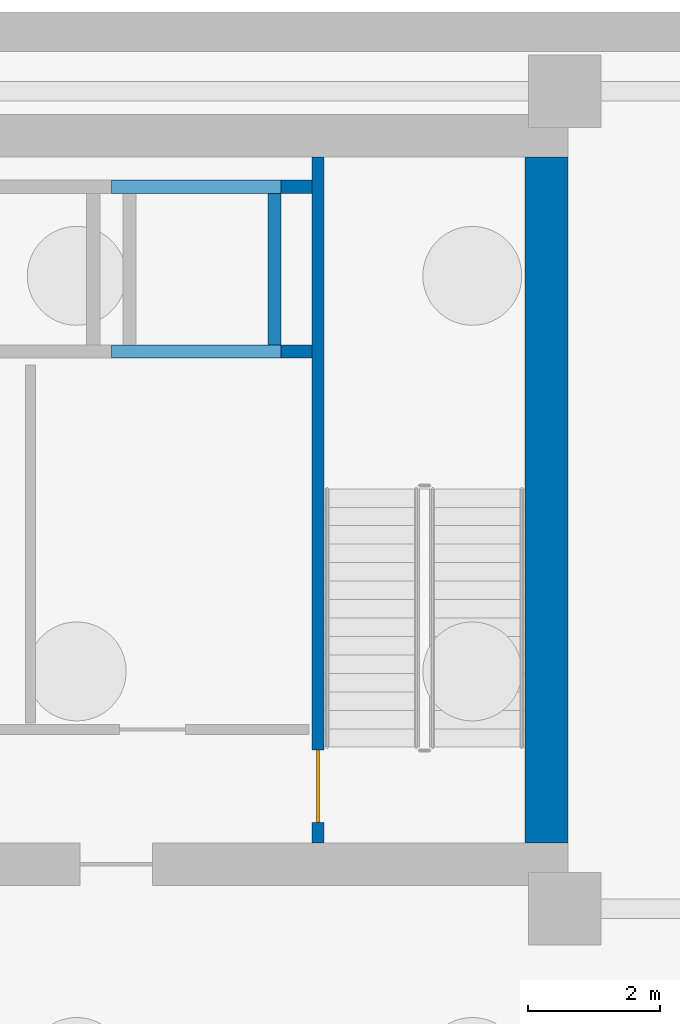
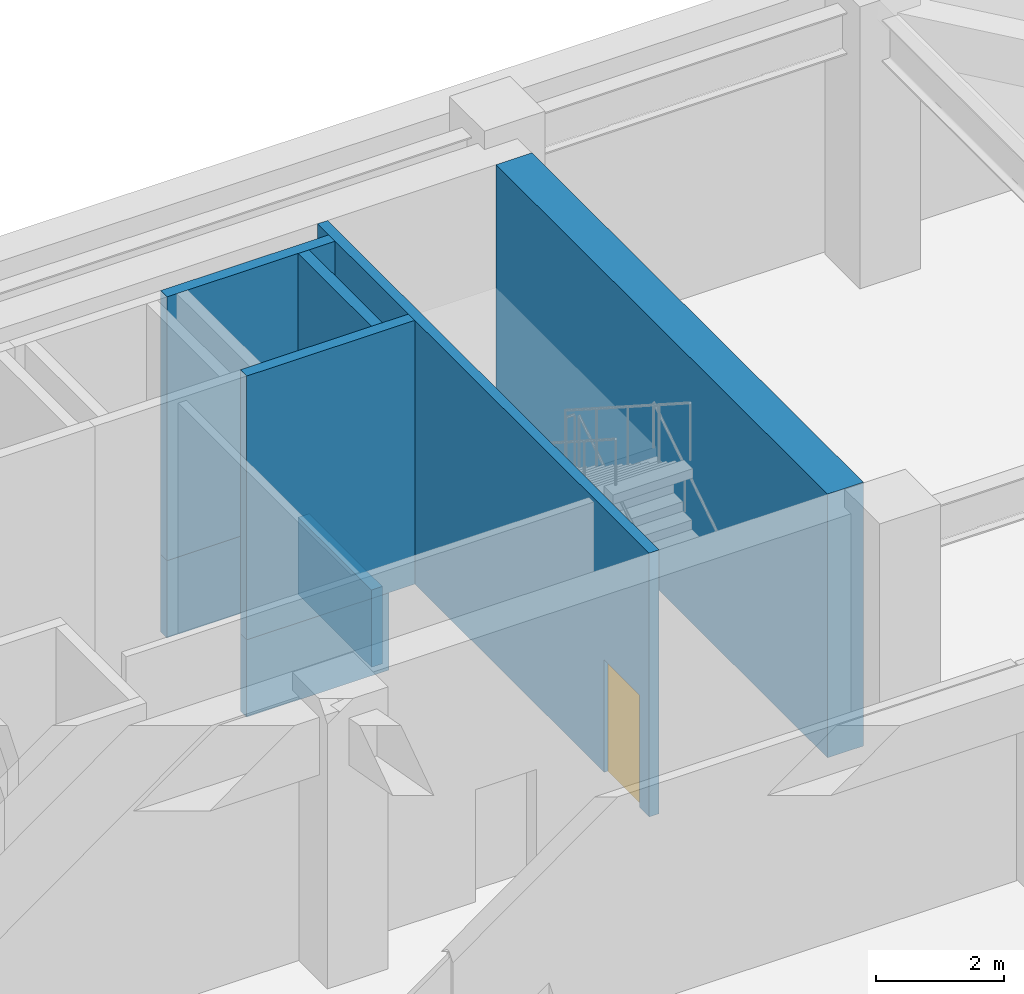
# One storey, part 11 of 18: 8 walls, 1 door, 1 opening.
"""IFC4 building model written with IfcOpenShell, lengths in metres."""

from ifc_helpers import new_model, si_unit, direction, frame, frame_2d, origin, place, context, subcontext, project, spatial, rectangle, extrude, material, layer, layer_set, type_object, element, fill, save


model = new_model("IFC4")

# Units and contexts
model_context = context("Model", 3, precision=1e-05, world=origin(), true_north=direction((0.0, 1.0)))
body_context = subcontext(model_context, "Body", "Model", "MODEL_VIEW")
ifc_project = project(units=[si_unit("LENGTHUNIT", "METRE"), si_unit("AREAUNIT", "SQUARE_METRE"), si_unit("VOLUMEUNIT", "CUBIC_METRE"), si_unit("PLANEANGLEUNIT", "RADIAN"), si_unit("MASSUNIT", "GRAM", prefix="KILO")], contexts=[model_context])

# Site, building, storey
site_placement = place(None, origin())
site = spatial("IfcSite", under=ifc_project, at=site_placement, CompositionType="ELEMENT")
building_placement = place(site_placement, origin())
building = spatial("IfcBuilding", under=site, at=building_placement, Name="Saevonmaru Cultural Tower", CompositionType="ELEMENT")
storey_placement = place(building_placement, frame((0.0, 0.0, -10.800048828125)))
storey = spatial("IfcBuildingStorey", under=building, at=storey_placement, Name="B2", CompositionType="ELEMENT", Elevation=-10.800048828125)

# Walls
ifc_material_1 = material(Name="Concrete C60/75", Category="concrete")
ifc_layer_1 = layer(ifc_material_1, 0.64990234375, Name="Concrete C60/75")
ifc_layer_set_1 = layer_set([ifc_layer_1], Name="Concrete C60/75")
wall_type_1 = type_object("IfcWallType", Name="WL-CORE-650", PredefinedType="SHEAR", material=ifc_layer_set_1)
wall_1_placement = place(storey_placement, frame((46.125, 43.39990234375, 0.0), z_axis=(0.0, 0.0, 1.0), x_axis=(0.0, 1.0, 0.0)))
element("IfcWall", 1, at=wall_1_placement, inside=storey, type_object=wall_type_1, Name="B2 Tower RC core shear wall E", PredefinedType="SHEAR", context=body_context, shape_type="SweptSolid", body=[
    extrude(rectangle(XDim=10.400146484375, YDim=0.64990234375, at=frame_2d((5.2001953125, 0.0))), origin(), (0.0, 0.0, 1.0), 5.050048828125),
])
ifc_material_2 = material(Name="Concrete C40/50", Category="concrete")
ifc_layer_2 = layer(ifc_material_2, 0.199951171875, Name="Concrete C40/50")
ifc_layer_set_2 = layer_set([ifc_layer_2], Name="Concrete C40/50")
wall_type_2 = type_object("IfcWallType", Name="WL-SHAFT-200", PredefinedType="SHEAR", material=ifc_layer_set_2)
for number, where, z_axis, x_axis, name in (
    (2, (39.52490234375, 50.85009765625, -1.47998046875), (0.0, 0.0, 1.0), (1.0, 0.0, 0.0), "Lift PL-H3 Pit Wall S"),
    (3, (39.52490234375, 53.35009765625, -1.47998046875), (0.0, 0.0, 1.0), (1.0, 0.0, 0.0), "Lift PL-H3 Pit Wall N"),
):
    element("IfcWall", number, at=place(storey_placement, frame(where, z_axis=z_axis, x_axis=x_axis)), inside=storey, type_object=wall_type_2, Name=name, PredefinedType="SHEAR", context=body_context, shape_type="SweptSolid", body=[
        extrude(rectangle(XDim=2.5751953125, YDim=0.199951171875, at=frame_2d((1.28759765625, 0.0))), origin(), (0.0, 0.0, 1.0), 1.47998046875),
    ])
wall_2_placement = place(storey_placement, frame((42.0, 50.949951171875, -1.47998046875), z_axis=(0.0, 0.0, 1.0), x_axis=(0.0, 1.0, 0.0)))
element("IfcWall", 4, at=wall_2_placement, inside=storey, type_object=wall_type_2, Name="Lift PL-H3 Pit Wall E", PredefinedType="SHEAR", context=body_context, shape_type="SweptSolid", body=[
    extrude(rectangle(XDim=2.300048828125, YDim=0.199951171875, at=frame_2d((1.14990234375, 0.0))), origin(), (0.0, 0.0, 1.0), 1.47998046875),
])
for number, where, z_axis, x_axis, name in (
    (5, (39.52490234375, 50.85009765625, 0.0), (0.0, 0.0, 1.0), (1.0, 0.0, 0.0), "B2 Lift PL-H3 Hoistway Wall S"),
    (6, (39.52490234375, 53.35009765625, 0.0), (0.0, 0.0, 1.0), (1.0, 0.0, 0.0), "B2 Lift PL-H3 Hoistway Wall N"),
):
    element("IfcWall", number, at=place(storey_placement, frame(where, z_axis=z_axis, x_axis=x_axis)), inside=storey, type_object=wall_type_2, Name=name, PredefinedType="SHEAR", context=body_context, shape_type="SweptSolid", body=[
        extrude(rectangle(XDim=3.045166015625, YDim=0.199951171875, at=frame_2d((1.5224609375, 0.0))), origin(), (0.0, 0.0, 1.0), 5.050048828125),
    ])
wall_3_placement = place(storey_placement, frame((42.0, 50.949951171875, 0.0), z_axis=(0.0, 0.0, 1.0), x_axis=(0.0, 1.0, 0.0)))
element("IfcWall", 7, at=wall_3_placement, inside=storey, type_object=wall_type_2, Name="B2 Lift PL-H3 Hoistway Wall E", PredefinedType="SHEAR", context=body_context, shape_type="SweptSolid", body=[
    extrude(rectangle(XDim=2.300048828125, YDim=0.199951171875, at=frame_2d((1.14990234375, 0.0))), origin(), (0.0, 0.0, 1.0), 5.050048828125),
])

# Wall, opening, door
ifc_layer_3 = layer(ifc_material_2, 0.179931640625, Name="Concrete C40/50")
ifc_layer_set_3 = layer_set([ifc_layer_3], Name="Concrete C40/50")
wall_type_3 = type_object("IfcWallType", Name="WL-STSHAFT-180", PredefinedType="SHEAR", material=ifc_layer_set_3)
wall_4_placement = place(storey_placement, frame((42.659912109375, 53.800048828125, 0.0), z_axis=(0.0, 0.0, 1.0), x_axis=(0.0, -1.0, 0.0)))
wall_4 = element("IfcWall", 8, at=wall_4_placement, inside=storey, type_object=wall_type_3, Name="B2 Stair ST-2 Structural Shaft Wall 1", PredefinedType="SHEAR", context=body_context, shape_type="SweptSolid", body=[
    extrude(rectangle(XDim=10.400146484375, YDim=0.179931640625, at=frame_2d((5.2001953125, 0.0))), origin(), (0.0, 0.0, 1.0), 5.050048828125),
])
opening_placement = place(wall_4_placement, frame((8.989990234375, 0.0, 0.0)))
opening = element("IfcOpeningElement", 9, at=opening_placement, cuts=wall_4, Name="Opening FD-2", PredefinedType="OPENING", context=body_context, shape_type="SweptSolid", body=[
    extrude(rectangle(XDim=1.10009765625, YDim=2.14990234375, at=frame_2d((0.550048828125, 1.074951171875))), frame((0.0, 0.10009765625, 0.0), z_axis=(0.0, -1.0, 0.0), x_axis=(1.0, 0.0, 0.0)), (0.0, 0.0, 1.0), 0.199951171875),
])
ifc_material_3 = material(Name="Satin Bronze Anodised Aluminium", Category="aluminium")
door_type = type_object("IfcDoorType", Name="DR-FD60-1100", OperationType="SINGLE_SWING_LEFT", PredefinedType="DOOR", material=ifc_material_3)
door_placement = place(opening_placement, origin())
door = element("IfcDoor", 10, at=door_placement, inside=storey, type_object=door_type, Name="B2 Protected Stair ST-2 Fire Door", OperationType="SINGLE_SWING_LEFT", OverallHeight=2.14990234375, OverallWidth=1.10009765625, PredefinedType="DOOR", context=body_context, shape_type="SweptSolid", body=[
    extrude(rectangle(XDim=1.10009765625, YDim=2.14990234375, at=frame_2d((0.550048828125, 1.074951171875))), frame((0.0, 0.02490234375, 0.0), z_axis=(0.0, -1.0, 0.0), x_axis=(1.0, 0.0, 0.0)), (0.0, 0.0, 1.0), 0.050048828125),
])
fill(opening, door)

save(model, "model.ifc")
